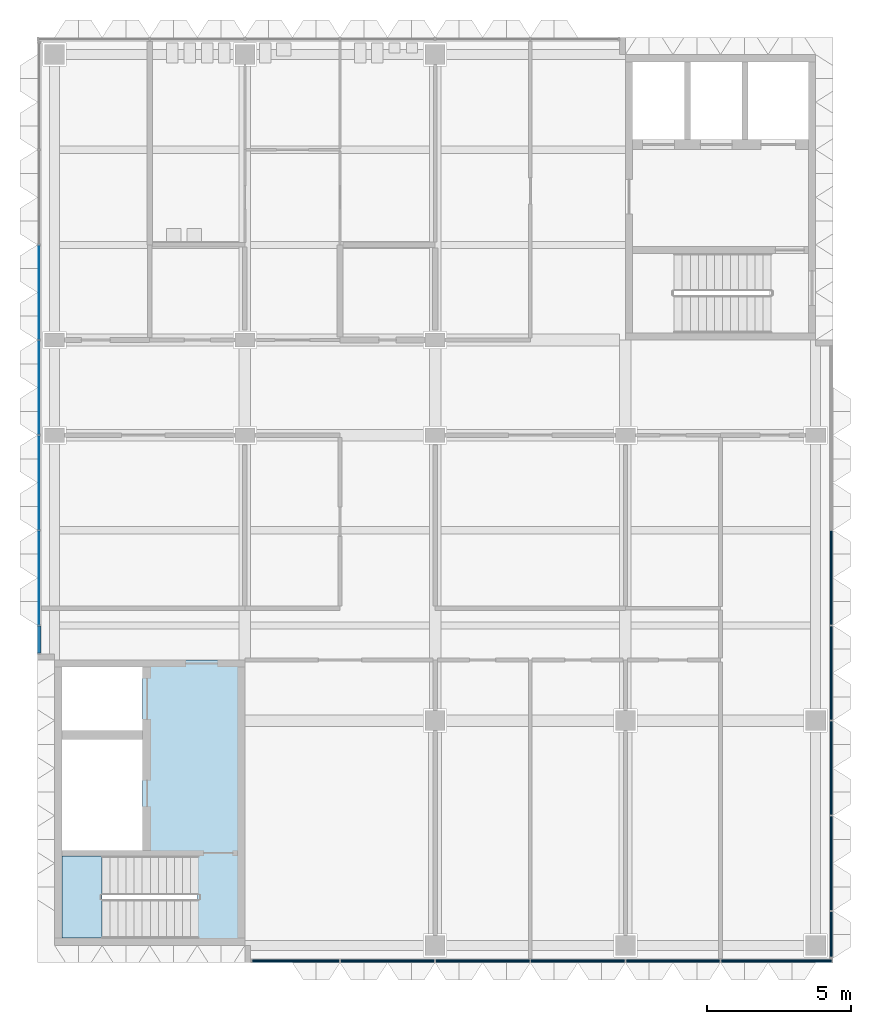
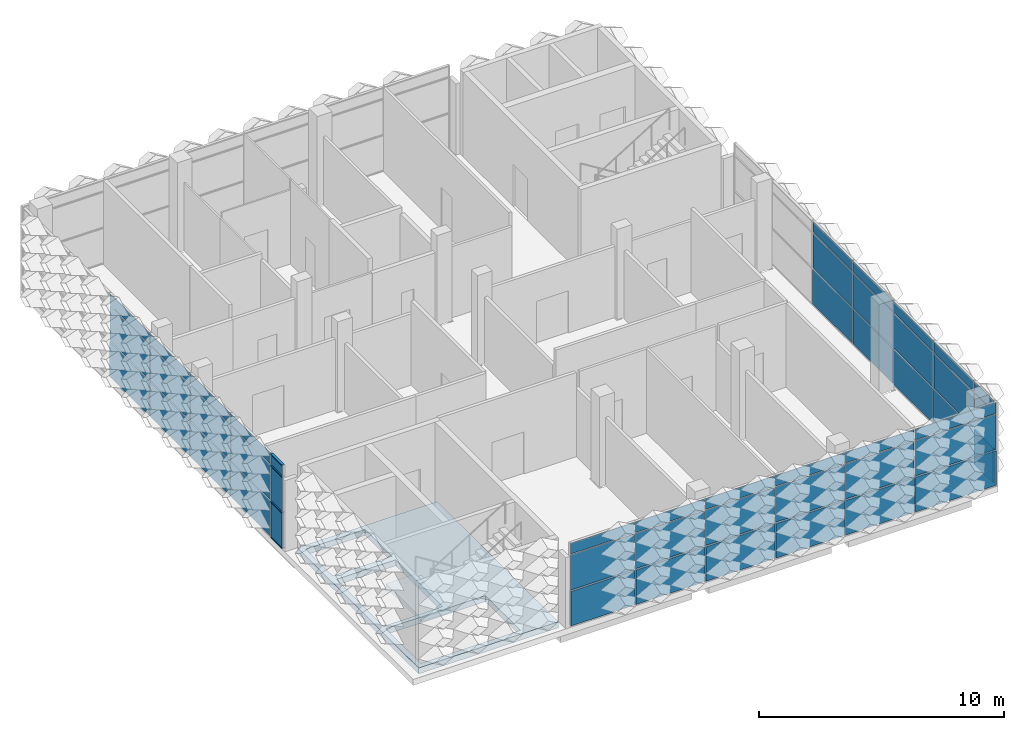
# One storey, part 7 of 29: 48 plates, 4 members, 2 slabs, 4 elements without a shape of their own.
"""IFC4 building model written with IfcOpenShell, lengths in metres."""

from ifc_helpers import new_model, si_unit, direction, frame, origin, origin_2d, place, context, subcontext, project, spatial, polyline, rectangle, outline, extrude, material, layer, layer_set, material_profile, profile_set, type_object, element, aggregate, save


model = new_model("IFC4")

# Units and contexts
model_context = context("Model", 3, precision=1e-05, world=origin(), true_north=direction((0.0, 1.0)))
body_context = subcontext(model_context, "Body", "Model", "MODEL_VIEW")
ifc_project = project(units=[si_unit("LENGTHUNIT", "METRE"), si_unit("AREAUNIT", "SQUARE_METRE"), si_unit("VOLUMEUNIT", "CUBIC_METRE"), si_unit("PLANEANGLEUNIT", "RADIAN"), si_unit("MASSUNIT", "GRAM", prefix="KILO")], contexts=[model_context])

# Site, building, storey
site_placement = place(None, origin())
site = spatial("IfcSite", under=ifc_project, at=site_placement, CompositionType="ELEMENT")
building_placement = place(site_placement, origin())
building = spatial("IfcBuilding", under=site, at=building_placement, Name="Lantern Court Research Institute", CompositionType="ELEMENT")
storey_placement = place(building_placement, frame((0.0, 0.0, 32.39990234375)))
storey = spatial("IfcBuildingStorey", under=building, at=storey_placement, Name="L07", CompositionType="ELEMENT", Elevation=32.39990234375)

# Curtain wall, members
ifc_material_1 = material(Name="Aluminium alloy 6063-T6", Category="aluminium")
curtain_wall_type_1 = type_object("IfcCurtainWallType", Name="Curtain wall 21250 x 4200 x 120 aluminium frame", PredefinedType="NOTDEFINED", material=ifc_material_1)
curtain_wall_1_placement = place(storey_placement, origin())
curtain_wall_1 = element("IfcCurtainWall", 1, at=curtain_wall_1_placement, inside=storey, type_object=curtain_wall_type_1, Name="Curtain wall CW084", PredefinedType="NOTDEFINED")
ifc_material_2 = material(Name="Aluminium alloy 6063-T6", Category="aluminium")
ifc_material_profile = material_profile(ifc_material_2, rectangle(XDim=0.1201171875, YDim=0.050048828125, at=origin_2d()), Name="Transom 120 x 50")
ifc_profile_set = profile_set([ifc_material_profile], Name="Aluminium alloy 6063-T6")
member_type = type_object("IfcMemberType", Name="Transom 120 x 50 aluminium", PredefinedType="USERDEFINED", material=ifc_profile_set)
member_1_placement = place(storey_placement, frame((52.260009765625, 2.35009765625, 0.025146484375), z_axis=(0.0, 1.0, 0.0), x_axis=(-1.0, 0.0, 0.0)))
member_1 = element("IfcMember", 2, at=member_1_placement, type_object=member_type, Name="CW084 transom 1.1", ObjectType="TRANSOM", PredefinedType="USERDEFINED", context=body_context, shape_type="SweptSolid", body=[
    extrude(rectangle(XDim=0.1201171875, YDim=0.050048828125, at=origin_2d()), origin(), (0.0, 0.0, 1.0), 0.9248046875),
])
member_2_placement = place(storey_placement, frame((52.260009765625, 2.35009765625, 1.800048828125), z_axis=(0.0, 1.0, 0.0), x_axis=(-1.0, 0.0, 0.0)))
member_2 = element("IfcMember", 3, at=member_2_placement, type_object=member_type, Name="CW084 transom 1.2", ObjectType="TRANSOM", PredefinedType="USERDEFINED", context=body_context, shape_type="SweptSolid", body=[
    extrude(rectangle(XDim=0.1201171875, YDim=0.050048828125, at=origin_2d()), origin(), (0.0, 0.0, 1.0), 0.9248046875),
])
member_3_placement = place(storey_placement, frame((52.260009765625, 2.35009765625, 3.60009765625), z_axis=(0.0, 1.0, 0.0), x_axis=(-1.0, 0.0, 0.0)))
member_3 = element("IfcMember", 4, at=member_3_placement, type_object=member_type, Name="CW084 transom 1.3", ObjectType="TRANSOM", PredefinedType="USERDEFINED", context=body_context, shape_type="SweptSolid", body=[
    extrude(rectangle(XDim=0.1201171875, YDim=0.050048828125, at=origin_2d()), origin(), (0.0, 0.0, 1.0), 0.9248046875),
])
member_4_placement = place(storey_placement, frame((52.260009765625, 2.35009765625, 4.175048828125), z_axis=(0.0, 1.0, 0.0), x_axis=(-1.0, 0.0, 0.0)))
member_4 = element("IfcMember", 5, at=member_4_placement, type_object=member_type, Name="CW084 transom 1.4", ObjectType="TRANSOM", PredefinedType="USERDEFINED", context=body_context, shape_type="SweptSolid", body=[
    extrude(rectangle(XDim=0.1201171875, YDim=0.050048828125, at=origin_2d()), origin(), (0.0, 0.0, 1.0), 0.9248046875),
])

# Curtain wall, plates
ifc_material_3 = material(Name="Aluminium alloy 6063-T6", Category="aluminium")
curtain_wall_type_2 = type_object("IfcCurtainWallType", Name="Curtain wall 20200 x 4200 x 120 aluminium frame", PredefinedType="NOTDEFINED", material=ifc_material_3)
curtain_wall_2_placement = place(storey_placement, origin())
curtain_wall_2 = element("IfcCurtainWall", 6, at=curtain_wall_2_placement, inside=storey, type_object=curtain_wall_type_2, Name="Curtain wall CW083", PredefinedType="NOTDEFINED")
ifc_material_4 = material(Name="Insulated aluminium spandrel panel", Category="aluminium")
ifc_layer_1 = layer(ifc_material_4, 0.10009765625)
ifc_layer_set_1 = layer_set([ifc_layer_1], Name="Insulated aluminium spandrel panel")
plate_type_1 = type_object("IfcPlateType", Name="Insulated spandrel panel 100 mm for south sun", PredefinedType="CURTAIN_PANEL", material=ifc_layer_set_1)
plate_1_placement = place(storey_placement, frame((61.16259765625, -8.340087890625, 0.050048828125), z_axis=(0.0, 0.0, 1.0), x_axis=(-1.0, 0.0, 0.0)))
plate_1 = element("IfcPlate", 7, at=plate_1_placement, type_object=plate_type_1, Name="CW083 spandrel panel 1.1", PredefinedType="CURTAIN_PANEL", context=body_context, shape_type="SweptSolid", body=[
    extrude(rectangle(XDim=3.02490234375, YDim=0.10009765625, at=origin_2d()), origin(), (0.0, 0.0, 1.0), 1.72509765625),
])
plate_2_placement = place(storey_placement, frame((64.35009765625, -8.340087890625, 0.050048828125), z_axis=(0.0, 0.0, 1.0), x_axis=(-1.0, 0.0, 0.0)))
plate_2 = element("IfcPlate", 8, at=plate_2_placement, type_object=plate_type_1, Name="CW083 spandrel panel 2.1", PredefinedType="CURTAIN_PANEL", context=body_context, shape_type="SweptSolid", body=[
    extrude(rectangle(XDim=3.25, YDim=0.10009765625, at=origin_2d()), origin(), (0.0, 0.0, 1.0), 1.72509765625),
])
plate_3_placement = place(storey_placement, frame((67.64990234375, -8.340087890625, 0.050048828125), z_axis=(0.0, 0.0, 1.0), x_axis=(-1.0, 0.0, 0.0)))
plate_3 = element("IfcPlate", 9, at=plate_3_placement, type_object=plate_type_1, Name="CW083 spandrel panel 3.1", PredefinedType="CURTAIN_PANEL", context=body_context, shape_type="SweptSolid", body=[
    extrude(rectangle(XDim=3.25, YDim=0.10009765625, at=origin_2d()), origin(), (0.0, 0.0, 1.0), 1.72509765625),
])
plate_4_placement = place(storey_placement, frame((70.949951171875, -8.340087890625, 0.050048828125), z_axis=(0.0, 0.0, 1.0), x_axis=(-1.0, 0.0, 0.0)))
plate_4 = element("IfcPlate", 10, at=plate_4_placement, type_object=plate_type_1, Name="CW083 spandrel panel 4.1", PredefinedType="CURTAIN_PANEL", context=body_context, shape_type="SweptSolid", body=[
    extrude(rectangle(XDim=3.25, YDim=0.10009765625, at=origin_2d()), origin(), (0.0, 0.0, 1.0), 1.72509765625),
])
plate_5_placement = place(storey_placement, frame((74.25, -8.340087890625, 0.050048828125), z_axis=(0.0, 0.0, 1.0), x_axis=(-1.0, 0.0, 0.0)))
plate_5 = element("IfcPlate", 11, at=plate_5_placement, type_object=plate_type_1, Name="CW083 spandrel panel 5.1", PredefinedType="CURTAIN_PANEL", context=body_context, shape_type="SweptSolid", body=[
    extrude(rectangle(XDim=3.25, YDim=0.10009765625, at=origin_2d()), origin(), (0.0, 0.0, 1.0), 1.72509765625),
])
plate_6_placement = place(storey_placement, frame((77.83740234375, -8.340087890625, 0.050048828125), z_axis=(0.0, 0.0, 1.0), x_axis=(-1.0, 0.0, 0.0)))
plate_6 = element("IfcPlate", 12, at=plate_6_placement, type_object=plate_type_1, Name="CW083 spandrel panel 6.1", PredefinedType="CURTAIN_PANEL", context=body_context, shape_type="SweptSolid", body=[
    extrude(rectangle(XDim=3.824951171875, YDim=0.10009765625, at=origin_2d()), origin(), (0.0, 0.0, 1.0), 1.72509765625),
])

curtain_wall_3_placement = place(storey_placement, origin())
curtain_wall_3 = element("IfcCurtainWall", 13, at=curtain_wall_3_placement, inside=storey, type_object=curtain_wall_type_1, Name="Curtain wall CW081", PredefinedType="NOTDEFINED")
ifc_material_5 = material(Name="Insulated aluminium spandrel panel", Category="aluminium")
ifc_layer_2 = layer(ifc_material_5, 0.080078125)
ifc_layer_set_2 = layer_set([ifc_layer_2], Name="Insulated aluminium spandrel panel")
plate_type_2 = type_object("IfcPlateType", Name="Insulated spandrel panel 80 mm", PredefinedType="CURTAIN_PANEL", material=ifc_layer_set_2)
plate_7_placement = place(storey_placement, frame((79.739990234375, -7.41259765625, 0.050048828125), z_axis=(0.0, 0.0, 1.0), x_axis=(0.0, -1.0, 0.0)))
plate_7 = element("IfcPlate", 14, at=plate_7_placement, type_object=plate_type_2, Name="CW081 spandrel panel 1.1", PredefinedType="CURTAIN_PANEL", context=body_context, shape_type="SweptSolid", body=[
    extrude(rectangle(XDim=1.574951171875, YDim=0.080078125, at=origin_2d()), origin(), (0.0, 0.0, 1.0), 1.72509765625),
])
plate_8_placement = place(storey_placement, frame((79.739990234375, -4.949951171875, 0.050048828125), z_axis=(0.0, 0.0, 1.0), x_axis=(0.0, -1.0, 0.0)))
plate_8 = element("IfcPlate", 15, at=plate_8_placement, type_object=plate_type_2, Name="CW081 spandrel panel 2.1", PredefinedType="CURTAIN_PANEL", context=body_context, shape_type="SweptSolid", body=[
    extrude(rectangle(XDim=3.25, YDim=0.080078125, at=origin_2d()), origin(), (0.0, 0.0, 1.0), 1.72509765625),
])
plate_9_placement = place(storey_placement, frame((79.739990234375, -1.64990234375, 0.050048828125), z_axis=(0.0, 0.0, 1.0), x_axis=(0.0, -1.0, 0.0)))
plate_9 = element("IfcPlate", 16, at=plate_9_placement, type_object=plate_type_2, Name="CW081 spandrel panel 3.1", PredefinedType="CURTAIN_PANEL", context=body_context, shape_type="SweptSolid", body=[
    extrude(rectangle(XDim=3.25, YDim=0.080078125, at=origin_2d()), origin(), (0.0, 0.0, 1.0), 1.72509765625),
])
plate_10_placement = place(storey_placement, frame((79.739990234375, 1.64990234375, 0.050048828125), z_axis=(0.0, 0.0, 1.0), x_axis=(0.0, -1.0, 0.0)))
plate_10 = element("IfcPlate", 17, at=plate_10_placement, type_object=plate_type_2, Name="CW081 spandrel panel 4.1", PredefinedType="CURTAIN_PANEL", context=body_context, shape_type="SweptSolid", body=[
    extrude(rectangle(XDim=3.25, YDim=0.080078125, at=origin_2d()), origin(), (0.0, 0.0, 1.0), 1.72509765625),
])
plate_11_placement = place(storey_placement, frame((79.739990234375, 4.949951171875, 0.050048828125), z_axis=(0.0, 0.0, 1.0), x_axis=(0.0, -1.0, 0.0)))
plate_11 = element("IfcPlate", 18, at=plate_11_placement, type_object=plate_type_2, Name="CW081 spandrel panel 5.1", PredefinedType="CURTAIN_PANEL", context=body_context, shape_type="SweptSolid", body=[
    extrude(rectangle(XDim=3.25, YDim=0.080078125, at=origin_2d()), origin(), (0.0, 0.0, 1.0), 1.72509765625),
])

# Plate
plate_12_placement = place(storey_placement, frame((52.260009765625, 2.8125, 0.050048828125), z_axis=(0.0, 0.0, 1.0), x_axis=(0.0, 1.0, 0.0)))
plate_12 = element("IfcPlate", 19, at=plate_12_placement, type_object=plate_type_2, Name="CW084 spandrel panel 1.1", PredefinedType="CURTAIN_PANEL", context=body_context, shape_type="SweptSolid", body=[
    extrude(rectangle(XDim=0.925048828125, YDim=0.080078125, at=origin_2d()), origin(), (0.0, 0.0, 1.0), 1.72509765625),
])

plate_13_placement = place(storey_placement, frame((52.260009765625, 4.949951171875, 0.050048828125), z_axis=(0.0, 0.0, 1.0), x_axis=(0.0, 1.0, 0.0)))
plate_13 = element("IfcPlate", 20, at=plate_13_placement, type_object=plate_type_2, Name="CW084 spandrel panel 2.1", PredefinedType="CURTAIN_PANEL", context=body_context, shape_type="SweptSolid", body=[
    extrude(rectangle(XDim=3.25, YDim=0.080078125, at=origin_2d()), origin(), (0.0, 0.0, 1.0), 1.72509765625),
])

plate_14_placement = place(storey_placement, frame((52.260009765625, 8.25, 0.050048828125), z_axis=(0.0, 0.0, 1.0), x_axis=(0.0, 1.0, 0.0)))
plate_14 = element("IfcPlate", 21, at=plate_14_placement, type_object=plate_type_2, Name="CW084 spandrel panel 3.1", PredefinedType="CURTAIN_PANEL", context=body_context, shape_type="SweptSolid", body=[
    extrude(rectangle(XDim=3.25, YDim=0.080078125, at=origin_2d()), origin(), (0.0, 0.0, 1.0), 1.72509765625),
])

plate_15_placement = place(storey_placement, frame((52.260009765625, 11.550048828125, 0.050048828125), z_axis=(0.0, 0.0, 1.0), x_axis=(0.0, 1.0, 0.0)))
plate_15 = element("IfcPlate", 22, at=plate_15_placement, type_object=plate_type_2, Name="CW084 spandrel panel 4.1", PredefinedType="CURTAIN_PANEL", context=body_context, shape_type="SweptSolid", body=[
    extrude(rectangle(XDim=3.25, YDim=0.080078125, at=origin_2d()), origin(), (0.0, 0.0, 1.0), 1.72509765625),
])

plate_16_placement = place(storey_placement, frame((52.260009765625, 14.85009765625, 0.050048828125), z_axis=(0.0, 0.0, 1.0), x_axis=(0.0, 1.0, 0.0)))
plate_16 = element("IfcPlate", 23, at=plate_16_placement, type_object=plate_type_2, Name="CW084 spandrel panel 5.1", PredefinedType="CURTAIN_PANEL", context=body_context, shape_type="SweptSolid", body=[
    extrude(rectangle(XDim=3.25, YDim=0.080078125, at=origin_2d()), origin(), (0.0, 0.0, 1.0), 1.72509765625),
])

ifc_material_6 = material(Name="Laminated low-emissivity glass", Category="glass")
ifc_layer_3 = layer(ifc_material_6, 0.031982421875)
ifc_layer_set_3 = layer_set([ifc_layer_3], Name="Laminated low-emissivity glass")
plate_type_3 = type_object("IfcPlateType", Name="Laminated low-emissivity unit 32 mm", PredefinedType="CURTAIN_PANEL", material=ifc_layer_set_3)
plate_17_placement = place(storey_placement, frame((52.260009765625, 2.8125, 1.8251953125), z_axis=(0.0, 0.0, 1.0), x_axis=(0.0, 1.0, 0.0)))
plate_17 = element("IfcPlate", 24, at=plate_17_placement, type_object=plate_type_3, Name="CW084 glazed panel 1.2", PredefinedType="CURTAIN_PANEL", context=body_context, shape_type="SweptSolid", body=[
    extrude(rectangle(XDim=0.925048828125, YDim=0.031982421875, at=origin_2d()), origin(), (0.0, 0.0, 1.0), 1.75),
])

plate_18_placement = place(storey_placement, frame((52.260009765625, 2.8125, 3.625244140625), z_axis=(0.0, 0.0, 1.0), x_axis=(0.0, 1.0, 0.0)))
plate_18 = element("IfcPlate", 25, at=plate_18_placement, type_object=plate_type_3, Name="CW084 glazed panel 1.3", PredefinedType="CURTAIN_PANEL", context=body_context, shape_type="SweptSolid", body=[
    extrude(rectangle(XDim=0.925048828125, YDim=0.031982421875, at=origin_2d()), origin(), (0.0, 0.0, 1.0), 0.52490234375),
])

plate_19_placement = place(storey_placement, frame((52.260009765625, 4.949951171875, 1.8251953125), z_axis=(0.0, 0.0, 1.0), x_axis=(0.0, 1.0, 0.0)))
plate_19 = element("IfcPlate", 26, at=plate_19_placement, type_object=plate_type_3, Name="CW084 glazed panel 2.2", PredefinedType="CURTAIN_PANEL", context=body_context, shape_type="SweptSolid", body=[
    extrude(rectangle(XDim=3.25, YDim=0.031982421875, at=origin_2d()), origin(), (0.0, 0.0, 1.0), 1.75),
])

plate_20_placement = place(storey_placement, frame((52.260009765625, 4.949951171875, 3.625244140625), z_axis=(0.0, 0.0, 1.0), x_axis=(0.0, 1.0, 0.0)))
plate_20 = element("IfcPlate", 27, at=plate_20_placement, type_object=plate_type_3, Name="CW084 glazed panel 2.3", PredefinedType="CURTAIN_PANEL", context=body_context, shape_type="SweptSolid", body=[
    extrude(rectangle(XDim=3.25, YDim=0.031982421875, at=origin_2d()), origin(), (0.0, 0.0, 1.0), 0.52490234375),
])

plate_21_placement = place(storey_placement, frame((52.260009765625, 8.25, 1.8251953125), z_axis=(0.0, 0.0, 1.0), x_axis=(0.0, 1.0, 0.0)))
plate_21 = element("IfcPlate", 28, at=plate_21_placement, type_object=plate_type_3, Name="CW084 glazed panel 3.2", PredefinedType="CURTAIN_PANEL", context=body_context, shape_type="SweptSolid", body=[
    extrude(rectangle(XDim=3.25, YDim=0.031982421875, at=origin_2d()), origin(), (0.0, 0.0, 1.0), 1.75),
])

plate_22_placement = place(storey_placement, frame((52.260009765625, 8.25, 3.625244140625), z_axis=(0.0, 0.0, 1.0), x_axis=(0.0, 1.0, 0.0)))
plate_22 = element("IfcPlate", 29, at=plate_22_placement, type_object=plate_type_3, Name="CW084 glazed panel 3.3", PredefinedType="CURTAIN_PANEL", context=body_context, shape_type="SweptSolid", body=[
    extrude(rectangle(XDim=3.25, YDim=0.031982421875, at=origin_2d()), origin(), (0.0, 0.0, 1.0), 0.52490234375),
])

plate_23_placement = place(storey_placement, frame((52.260009765625, 11.550048828125, 1.8251953125), z_axis=(0.0, 0.0, 1.0), x_axis=(0.0, 1.0, 0.0)))
plate_23 = element("IfcPlate", 30, at=plate_23_placement, type_object=plate_type_3, Name="CW084 glazed panel 4.2", PredefinedType="CURTAIN_PANEL", context=body_context, shape_type="SweptSolid", body=[
    extrude(rectangle(XDim=3.25, YDim=0.031982421875, at=origin_2d()), origin(), (0.0, 0.0, 1.0), 1.75),
])

plate_24_placement = place(storey_placement, frame((52.260009765625, 11.550048828125, 3.625244140625), z_axis=(0.0, 0.0, 1.0), x_axis=(0.0, 1.0, 0.0)))
plate_24 = element("IfcPlate", 31, at=plate_24_placement, type_object=plate_type_3, Name="CW084 glazed panel 4.3", PredefinedType="CURTAIN_PANEL", context=body_context, shape_type="SweptSolid", body=[
    extrude(rectangle(XDim=3.25, YDim=0.031982421875, at=origin_2d()), origin(), (0.0, 0.0, 1.0), 0.52490234375),
])

plate_25_placement = place(storey_placement, frame((52.260009765625, 14.85009765625, 1.8251953125), z_axis=(0.0, 0.0, 1.0), x_axis=(0.0, 1.0, 0.0)))
plate_25 = element("IfcPlate", 32, at=plate_25_placement, type_object=plate_type_3, Name="CW084 glazed panel 5.2", PredefinedType="CURTAIN_PANEL", context=body_context, shape_type="SweptSolid", body=[
    extrude(rectangle(XDim=3.25, YDim=0.031982421875, at=origin_2d()), origin(), (0.0, 0.0, 1.0), 1.75),
])

plate_26_placement = place(storey_placement, frame((52.260009765625, 14.85009765625, 3.625244140625), z_axis=(0.0, 0.0, 1.0), x_axis=(0.0, 1.0, 0.0)))
plate_26 = element("IfcPlate", 33, at=plate_26_placement, type_object=plate_type_3, Name="CW084 glazed panel 5.3", PredefinedType="CURTAIN_PANEL", context=body_context, shape_type="SweptSolid", body=[
    extrude(rectangle(XDim=3.25, YDim=0.031982421875, at=origin_2d()), origin(), (0.0, 0.0, 1.0), 0.52490234375),
])

aggregate(curtain_wall_1, [member_1, member_2, member_3, member_4, plate_12, plate_17, plate_18, plate_13, plate_19, plate_20, plate_14, plate_21, plate_22, plate_15, plate_23, plate_24, plate_16, plate_25, plate_26])

# Slab
ifc_material_7 = material(Name="Concrete C35/45", Category="concrete")
ifc_layer_4 = layer(ifc_material_7, 0.300048828125)
ifc_layer_set_4 = layer_set([ifc_layer_4], Name="Concrete C35/45")
slab_type_1 = type_object("IfcSlabType", Name="RC core floor slab 300", PredefinedType="FLOOR", material=ifc_layer_set_4)
slab_1_placement = place(storey_placement, frame((0.0, 0.0, -0.2998046875)))
element("IfcSlab", 34, at=slab_1_placement, inside=storey, type_object=slab_type_1, Name="Floor of core TC-W", PredefinedType="FLOOR", context=body_context, shape_type="SweptSolid", body=[
    extrude(outline(polyline([(52.800048828125, -7.800048828125), (59.39990234375, -7.800048828125), (59.39990234375, 2.10009765625), (52.800048828125, 2.10009765625), (52.800048828125, -7.800048828125)]), holes=[polyline([(57.75, -4.699951171875), (53.050048828125, -4.699951171875), (53.050048828125, -7.550048828125), (57.75, -7.550048828125), (57.75, -4.699951171875)]), polyline([(53.050048828125, -0.35009765625), (55.85009765625, -0.35009765625), (55.85009765625, 1.85009765625), (53.050048828125, 1.85009765625), (53.050048828125, -0.35009765625)]), polyline([(53.050048828125, -0.64990234375), (55.85009765625, -0.64990234375), (55.85009765625, -4.5), (53.050048828125, -4.5), (53.050048828125, -0.64990234375)])]), origin(), (0.0, 0.0, 1.0), 0.2998046875),
])

# Stair, slab
ifc_material_8 = material(Name="Concrete C40/50", Category="concrete")
stair_type = type_object("IfcStairType", Name="RC half-turn stair 1350 wide, 4500 rise, 6100 shaft", PredefinedType="HALF_TURN_STAIR", material=ifc_material_8)
stair_placement = place(storey_placement, origin())
stair = element("IfcStair", 35, at=stair_placement, inside=storey, type_object=stair_type, Name="L07 stair ST-T1", PredefinedType="HALF_TURN_STAIR")
ifc_material_9 = material(Name="Concrete C40/50", Category="concrete")
ifc_layer_5 = layer(ifc_material_9, 0.199951171875)
ifc_layer_set_5 = layer_set([ifc_layer_5], Name="Concrete C40/50")
slab_type_2 = type_object("IfcSlabType", Name="RC stair landing 200", PredefinedType="LANDING", material=ifc_layer_set_5)
slab_2_placement = place(storey_placement, frame((0.0, 0.0, 2.050048828125)))
slab_2 = element("IfcSlab", 36, at=slab_2_placement, type_object=slab_type_2, Name="ST-T1 landing 1", PredefinedType="LANDING", context=body_context, shape_type="SweptSolid", body=[
    extrude(outline(polyline([(54.43994140625, -4.699951171875), (53.050048828125, -4.699951171875), (53.050048828125, -7.550048828125), (54.43994140625, -7.550048828125), (54.43994140625, -4.699951171875)])), origin(), (0.0, 0.0, 1.0), 0.199951171875),
])
aggregate(stair, [slab_2])

# Plate
ifc_material_10 = material(Name="Laminated low-emissivity glass", Category="glass")
ifc_layer_6 = layer(ifc_material_10, 0.035888671875)
ifc_layer_set_6 = layer_set([ifc_layer_6], Name="Laminated low-emissivity glass")
plate_type_4 = type_object("IfcPlateType", Name="Solar control laminated unit 36 mm", PredefinedType="CURTAIN_PANEL", material=ifc_layer_set_6)
plate_27_placement = place(storey_placement, frame((79.739990234375, -7.41259765625, 1.8251953125), z_axis=(0.0, 0.0, 1.0), x_axis=(0.0, -1.0, 0.0)))
plate_27 = element("IfcPlate", 37, at=plate_27_placement, type_object=plate_type_4, Name="CW081 glazed panel 1.2", PredefinedType="CURTAIN_PANEL", context=body_context, shape_type="SweptSolid", body=[
    extrude(rectangle(XDim=1.574951171875, YDim=0.035888671875, at=origin_2d()), origin(), (0.0, 0.0, 1.0), 1.75),
])

plate_28_placement = place(storey_placement, frame((79.739990234375, -7.41259765625, 3.625244140625), z_axis=(0.0, 0.0, 1.0), x_axis=(0.0, -1.0, 0.0)))
plate_28 = element("IfcPlate", 38, at=plate_28_placement, type_object=plate_type_4, Name="CW081 glazed panel 1.3", PredefinedType="CURTAIN_PANEL", context=body_context, shape_type="SweptSolid", body=[
    extrude(rectangle(XDim=1.574951171875, YDim=0.035888671875, at=origin_2d()), origin(), (0.0, 0.0, 1.0), 0.52490234375),
])

plate_29_placement = place(storey_placement, frame((79.739990234375, -4.949951171875, 1.8251953125), z_axis=(0.0, 0.0, 1.0), x_axis=(0.0, -1.0, 0.0)))
plate_29 = element("IfcPlate", 39, at=plate_29_placement, type_object=plate_type_4, Name="CW081 glazed panel 2.2", PredefinedType="CURTAIN_PANEL", context=body_context, shape_type="SweptSolid", body=[
    extrude(rectangle(XDim=3.25, YDim=0.035888671875, at=origin_2d()), origin(), (0.0, 0.0, 1.0), 1.75),
])

plate_30_placement = place(storey_placement, frame((79.739990234375, -4.949951171875, 3.625244140625), z_axis=(0.0, 0.0, 1.0), x_axis=(0.0, -1.0, 0.0)))
plate_30 = element("IfcPlate", 40, at=plate_30_placement, type_object=plate_type_4, Name="CW081 glazed panel 2.3", PredefinedType="CURTAIN_PANEL", context=body_context, shape_type="SweptSolid", body=[
    extrude(rectangle(XDim=3.25, YDim=0.035888671875, at=origin_2d()), origin(), (0.0, 0.0, 1.0), 0.52490234375),
])

plate_31_placement = place(storey_placement, frame((79.739990234375, -1.64990234375, 1.8251953125), z_axis=(0.0, 0.0, 1.0), x_axis=(0.0, -1.0, 0.0)))
plate_31 = element("IfcPlate", 41, at=plate_31_placement, type_object=plate_type_4, Name="CW081 glazed panel 3.2", PredefinedType="CURTAIN_PANEL", context=body_context, shape_type="SweptSolid", body=[
    extrude(rectangle(XDim=3.25, YDim=0.035888671875, at=origin_2d()), origin(), (0.0, 0.0, 1.0), 1.75),
])

plate_32_placement = place(storey_placement, frame((79.739990234375, -1.64990234375, 3.625244140625), z_axis=(0.0, 0.0, 1.0), x_axis=(0.0, -1.0, 0.0)))
plate_32 = element("IfcPlate", 42, at=plate_32_placement, type_object=plate_type_4, Name="CW081 glazed panel 3.3", PredefinedType="CURTAIN_PANEL", context=body_context, shape_type="SweptSolid", body=[
    extrude(rectangle(XDim=3.25, YDim=0.035888671875, at=origin_2d()), origin(), (0.0, 0.0, 1.0), 0.52490234375),
])

plate_33_placement = place(storey_placement, frame((79.739990234375, 1.64990234375, 1.8251953125), z_axis=(0.0, 0.0, 1.0), x_axis=(0.0, -1.0, 0.0)))
plate_33 = element("IfcPlate", 43, at=plate_33_placement, type_object=plate_type_4, Name="CW081 glazed panel 4.2", PredefinedType="CURTAIN_PANEL", context=body_context, shape_type="SweptSolid", body=[
    extrude(rectangle(XDim=3.25, YDim=0.035888671875, at=origin_2d()), origin(), (0.0, 0.0, 1.0), 1.75),
])

plate_34_placement = place(storey_placement, frame((79.739990234375, 1.64990234375, 3.625244140625), z_axis=(0.0, 0.0, 1.0), x_axis=(0.0, -1.0, 0.0)))
plate_34 = element("IfcPlate", 44, at=plate_34_placement, type_object=plate_type_4, Name="CW081 glazed panel 4.3", PredefinedType="CURTAIN_PANEL", context=body_context, shape_type="SweptSolid", body=[
    extrude(rectangle(XDim=3.25, YDim=0.035888671875, at=origin_2d()), origin(), (0.0, 0.0, 1.0), 0.52490234375),
])

plate_35_placement = place(storey_placement, frame((79.739990234375, 4.949951171875, 1.8251953125), z_axis=(0.0, 0.0, 1.0), x_axis=(0.0, -1.0, 0.0)))
plate_35 = element("IfcPlate", 45, at=plate_35_placement, type_object=plate_type_4, Name="CW081 glazed panel 5.2", PredefinedType="CURTAIN_PANEL", context=body_context, shape_type="SweptSolid", body=[
    extrude(rectangle(XDim=3.25, YDim=0.035888671875, at=origin_2d()), origin(), (0.0, 0.0, 1.0), 1.75),
])

plate_36_placement = place(storey_placement, frame((79.739990234375, 4.949951171875, 3.625244140625), z_axis=(0.0, 0.0, 1.0), x_axis=(0.0, -1.0, 0.0)))
plate_36 = element("IfcPlate", 46, at=plate_36_placement, type_object=plate_type_4, Name="CW081 glazed panel 5.3", PredefinedType="CURTAIN_PANEL", context=body_context, shape_type="SweptSolid", body=[
    extrude(rectangle(XDim=3.25, YDim=0.035888671875, at=origin_2d()), origin(), (0.0, 0.0, 1.0), 0.52490234375),
])

aggregate(curtain_wall_3, [plate_7, plate_27, plate_28, plate_8, plate_29, plate_30, plate_9, plate_31, plate_32, plate_10, plate_33, plate_34, plate_11, plate_35, plate_36])

plate_37_placement = place(storey_placement, frame((61.16259765625, -8.340087890625, 1.8251953125), z_axis=(0.0, 0.0, 1.0), x_axis=(-1.0, 0.0, 0.0)))
plate_37 = element("IfcPlate", 47, at=plate_37_placement, type_object=plate_type_4, Name="CW083 glazed panel 1.2", PredefinedType="CURTAIN_PANEL", context=body_context, shape_type="SweptSolid", body=[
    extrude(rectangle(XDim=3.02490234375, YDim=0.035888671875, at=origin_2d()), origin(), (0.0, 0.0, 1.0), 1.75),
])

plate_38_placement = place(storey_placement, frame((61.16259765625, -8.340087890625, 3.625244140625), z_axis=(0.0, 0.0, 1.0), x_axis=(-1.0, 0.0, 0.0)))
plate_38 = element("IfcPlate", 48, at=plate_38_placement, type_object=plate_type_4, Name="CW083 glazed panel 1.3", PredefinedType="CURTAIN_PANEL", context=body_context, shape_type="SweptSolid", body=[
    extrude(rectangle(XDim=3.02490234375, YDim=0.035888671875, at=origin_2d()), origin(), (0.0, 0.0, 1.0), 0.52490234375),
])

plate_39_placement = place(storey_placement, frame((64.35009765625, -8.340087890625, 1.8251953125), z_axis=(0.0, 0.0, 1.0), x_axis=(-1.0, 0.0, 0.0)))
plate_39 = element("IfcPlate", 49, at=plate_39_placement, type_object=plate_type_4, Name="CW083 glazed panel 2.2", PredefinedType="CURTAIN_PANEL", context=body_context, shape_type="SweptSolid", body=[
    extrude(rectangle(XDim=3.25, YDim=0.035888671875, at=origin_2d()), origin(), (0.0, 0.0, 1.0), 1.75),
])

plate_40_placement = place(storey_placement, frame((64.35009765625, -8.340087890625, 3.625244140625), z_axis=(0.0, 0.0, 1.0), x_axis=(-1.0, 0.0, 0.0)))
plate_40 = element("IfcPlate", 50, at=plate_40_placement, type_object=plate_type_4, Name="CW083 glazed panel 2.3", PredefinedType="CURTAIN_PANEL", context=body_context, shape_type="SweptSolid", body=[
    extrude(rectangle(XDim=3.25, YDim=0.035888671875, at=origin_2d()), origin(), (0.0, 0.0, 1.0), 0.52490234375),
])

plate_41_placement = place(storey_placement, frame((67.64990234375, -8.340087890625, 1.8251953125), z_axis=(0.0, 0.0, 1.0), x_axis=(-1.0, 0.0, 0.0)))
plate_41 = element("IfcPlate", 51, at=plate_41_placement, type_object=plate_type_4, Name="CW083 glazed panel 3.2", PredefinedType="CURTAIN_PANEL", context=body_context, shape_type="SweptSolid", body=[
    extrude(rectangle(XDim=3.25, YDim=0.035888671875, at=origin_2d()), origin(), (0.0, 0.0, 1.0), 1.75),
])

plate_42_placement = place(storey_placement, frame((67.64990234375, -8.340087890625, 3.625244140625), z_axis=(0.0, 0.0, 1.0), x_axis=(-1.0, 0.0, 0.0)))
plate_42 = element("IfcPlate", 52, at=plate_42_placement, type_object=plate_type_4, Name="CW083 glazed panel 3.3", PredefinedType="CURTAIN_PANEL", context=body_context, shape_type="SweptSolid", body=[
    extrude(rectangle(XDim=3.25, YDim=0.035888671875, at=origin_2d()), origin(), (0.0, 0.0, 1.0), 0.52490234375),
])

plate_43_placement = place(storey_placement, frame((70.949951171875, -8.340087890625, 1.8251953125), z_axis=(0.0, 0.0, 1.0), x_axis=(-1.0, 0.0, 0.0)))
plate_43 = element("IfcPlate", 53, at=plate_43_placement, type_object=plate_type_4, Name="CW083 glazed panel 4.2", PredefinedType="CURTAIN_PANEL", context=body_context, shape_type="SweptSolid", body=[
    extrude(rectangle(XDim=3.25, YDim=0.035888671875, at=origin_2d()), origin(), (0.0, 0.0, 1.0), 1.75),
])

plate_44_placement = place(storey_placement, frame((70.949951171875, -8.340087890625, 3.625244140625), z_axis=(0.0, 0.0, 1.0), x_axis=(-1.0, 0.0, 0.0)))
plate_44 = element("IfcPlate", 54, at=plate_44_placement, type_object=plate_type_4, Name="CW083 glazed panel 4.3", PredefinedType="CURTAIN_PANEL", context=body_context, shape_type="SweptSolid", body=[
    extrude(rectangle(XDim=3.25, YDim=0.035888671875, at=origin_2d()), origin(), (0.0, 0.0, 1.0), 0.52490234375),
])

plate_45_placement = place(storey_placement, frame((74.25, -8.340087890625, 1.8251953125), z_axis=(0.0, 0.0, 1.0), x_axis=(-1.0, 0.0, 0.0)))
plate_45 = element("IfcPlate", 55, at=plate_45_placement, type_object=plate_type_4, Name="CW083 glazed panel 5.2", PredefinedType="CURTAIN_PANEL", context=body_context, shape_type="SweptSolid", body=[
    extrude(rectangle(XDim=3.25, YDim=0.035888671875, at=origin_2d()), origin(), (0.0, 0.0, 1.0), 1.75),
])

plate_46_placement = place(storey_placement, frame((74.25, -8.340087890625, 3.625244140625), z_axis=(0.0, 0.0, 1.0), x_axis=(-1.0, 0.0, 0.0)))
plate_46 = element("IfcPlate", 56, at=plate_46_placement, type_object=plate_type_4, Name="CW083 glazed panel 5.3", PredefinedType="CURTAIN_PANEL", context=body_context, shape_type="SweptSolid", body=[
    extrude(rectangle(XDim=3.25, YDim=0.035888671875, at=origin_2d()), origin(), (0.0, 0.0, 1.0), 0.52490234375),
])

plate_47_placement = place(storey_placement, frame((77.83740234375, -8.340087890625, 1.8251953125), z_axis=(0.0, 0.0, 1.0), x_axis=(-1.0, 0.0, 0.0)))
plate_47 = element("IfcPlate", 57, at=plate_47_placement, type_object=plate_type_4, Name="CW083 glazed panel 6.2", PredefinedType="CURTAIN_PANEL", context=body_context, shape_type="SweptSolid", body=[
    extrude(rectangle(XDim=3.824951171875, YDim=0.035888671875, at=origin_2d()), origin(), (0.0, 0.0, 1.0), 1.75),
])

plate_48_placement = place(storey_placement, frame((77.83740234375, -8.340087890625, 3.625244140625), z_axis=(0.0, 0.0, 1.0), x_axis=(-1.0, 0.0, 0.0)))
plate_48 = element("IfcPlate", 58, at=plate_48_placement, type_object=plate_type_4, Name="CW083 glazed panel 6.3", PredefinedType="CURTAIN_PANEL", context=body_context, shape_type="SweptSolid", body=[
    extrude(rectangle(XDim=3.824951171875, YDim=0.035888671875, at=origin_2d()), origin(), (0.0, 0.0, 1.0), 0.52490234375),
])

aggregate(curtain_wall_2, [plate_1, plate_37, plate_38, plate_2, plate_39, plate_40, plate_3, plate_41, plate_42, plate_4, plate_43, plate_44, plate_5, plate_45, plate_46, plate_6, plate_47, plate_48])

save(model, "model.ifc")
